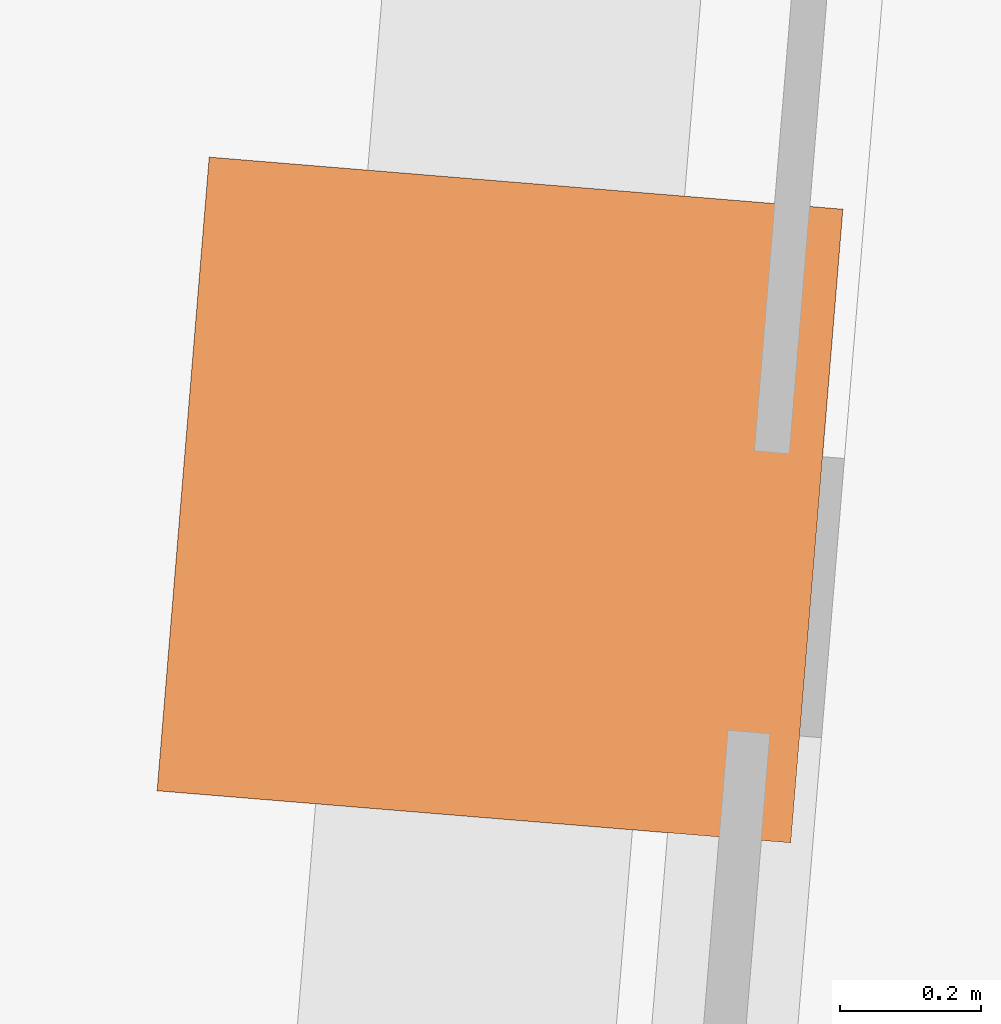
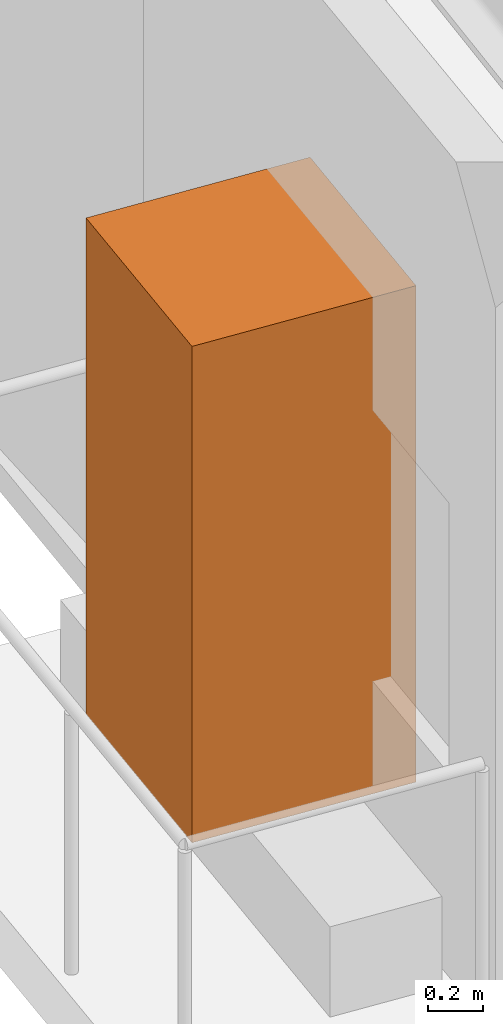
# One storey, part 9 of 9: 1 geographic element.
"""IFC4 building model written with IfcOpenShell, lengths in metres."""

from ifc_helpers import new_model, si_unit, direction, frame, origin, origin_2d, place, context, subcontext, project, spatial, rectangle, extrude, material, type_object, element, save


model = new_model("IFC4")

# Units and contexts
model_context = context("Model", 3, precision=1e-05, world=origin(), true_north=direction((0.0, 1.0)))
body_context = subcontext(model_context, "Body", "Model", "MODEL_VIEW")
ifc_project = project(units=[si_unit("LENGTHUNIT", "METRE"), si_unit("AREAUNIT", "SQUARE_METRE"), si_unit("VOLUMEUNIT", "CUBIC_METRE"), si_unit("PLANEANGLEUNIT", "RADIAN"), si_unit("MASSUNIT", "GRAM", prefix="KILO")], contexts=[model_context])

# Site, building, storey
site_placement = place(None, origin())
site = spatial("IfcSite", under=ifc_project, at=site_placement, CompositionType="ELEMENT")
building_placement = place(site_placement, origin())
building = spatial("IfcBuilding", under=site, at=building_placement, Name="Verdant Reach Tower", CompositionType="ELEMENT")
storey_placement = place(building_placement, frame((0.0, 0.0, 78.0)))
storey = spatial("IfcBuildingStorey", under=building, at=storey_placement, Name="L17", CompositionType="ELEMENT", Elevation=78.0)

# Geographic element
ifc_material = material(Name="Planting")
geographic_element_type = type_object("IfcGeographicElementType", Name="EN-TREE", PredefinedType="USERDEFINED", material=ifc_material)
geographic_element_placement = place(storey_placement, frame((-24.1044921875, 15.101806640625, 0.39990234375), z_axis=(0.0, 0.0, 1.0), x_axis=(-0.081915556724, -0.996639273542, 0.0)))
element("IfcGeographicElement", 1, at=geographic_element_placement, inside=storey, type_object=geographic_element_type, Name="Balcony tree, Yellow trumpet tree (Handroanthus albus), L17 1", ObjectType="TREE", PredefinedType="USERDEFINED", context=body_context, shape_type="SweptSolid", body=[
    extrude(rectangle(XDim=0.89990234375, YDim=0.89990234375, at=origin_2d()), origin(), (0.0, 0.0, 1.0), 2.199951171875),
])

save(model, "model.ifc")
